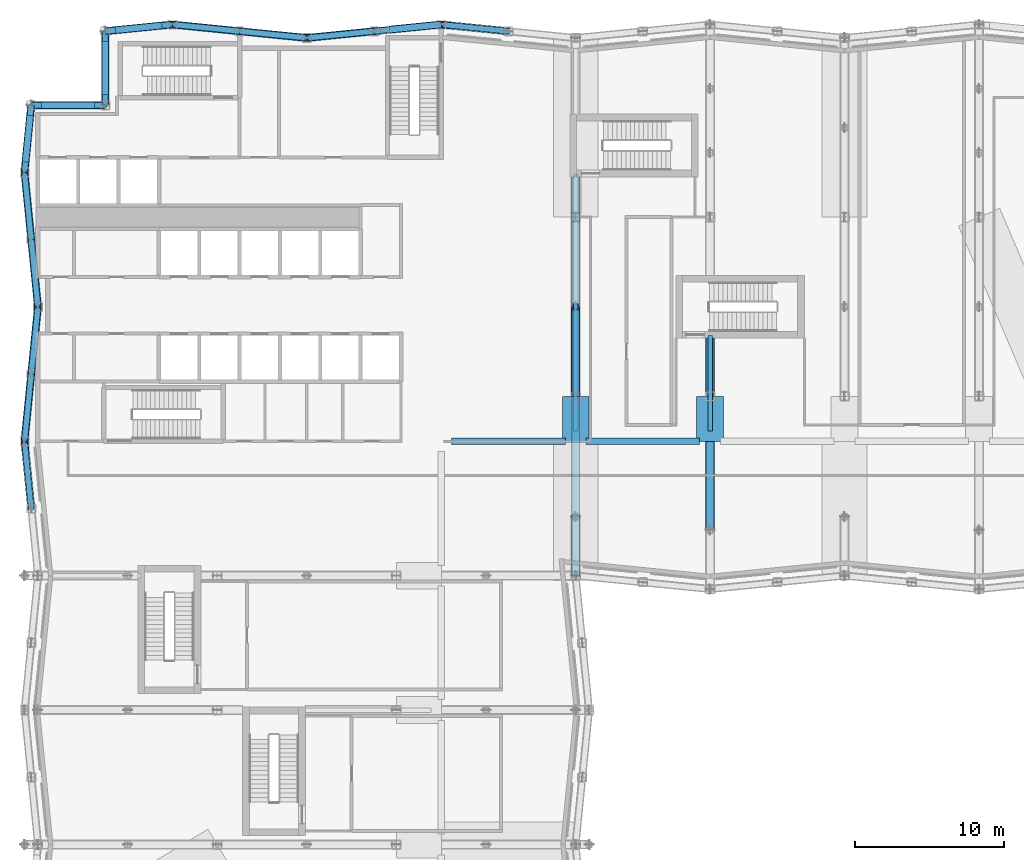
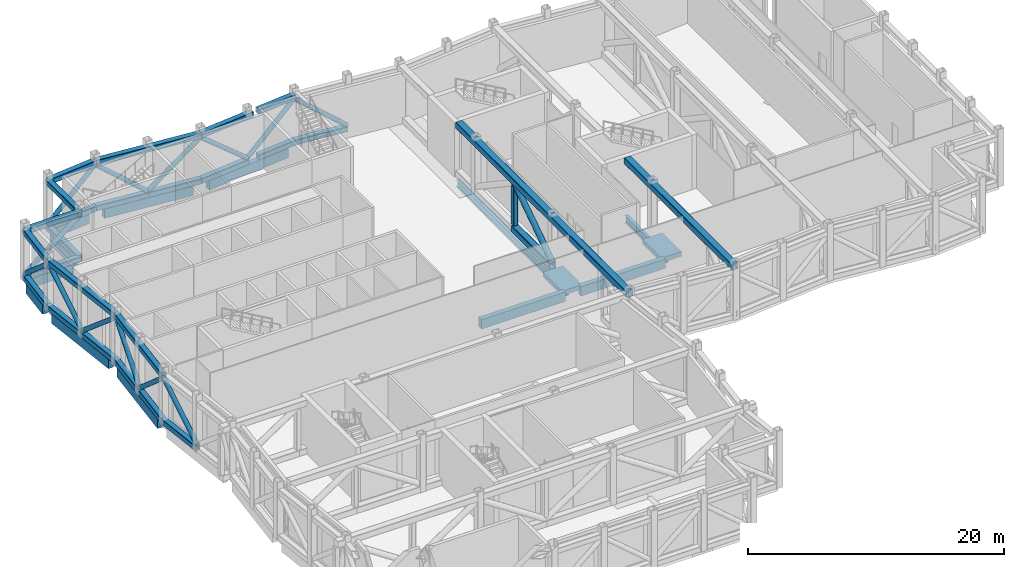
# One storey, part 6 of 22: 42 members, 14 beams.
"""IFC4 building model written with IfcOpenShell, lengths in metres."""

from ifc_helpers import new_model, si_unit, direction, frame, origin, origin_2d, place, context, subcontext, project, spatial, rectangle, hollow_rectangle, hollow_circle, i_section, extrude, material, material_profile, profile_set, type_object, element, save


model = new_model("IFC4")

# Units and contexts
model_context = context("Model", 3, precision=1e-05, world=origin(), true_north=direction((0.0, 1.0)))
body_context = subcontext(model_context, "Body", "Model", "MODEL_VIEW")
ifc_project = project(units=[si_unit("LENGTHUNIT", "METRE"), si_unit("AREAUNIT", "SQUARE_METRE"), si_unit("VOLUMEUNIT", "CUBIC_METRE"), si_unit("PLANEANGLEUNIT", "RADIAN"), si_unit("MASSUNIT", "GRAM", prefix="KILO")], contexts=[model_context])

# Site, building, storey
site_placement = place(None, origin())
site = spatial("IfcSite", under=ifc_project, at=site_placement, CompositionType="ELEMENT")
building_placement = place(site_placement, origin())
building = spatial("IfcBuilding", under=site, at=building_placement, Name="Brondeck Convention Tower", CompositionType="ELEMENT")
storey_placement = place(building_placement, frame((0.0, 0.0, 32.0)))
storey = spatial("IfcBuildingStorey", under=building, at=storey_placement, Name="L05", CompositionType="ELEMENT", Elevation=32.0)

# Beams
ifc_material_1 = material(Name="Concrete C80/95", Category="concrete")
ifc_material_profile_1 = material_profile(ifc_material_1, rectangle(XDim=1.800048828125, YDim=0.43994140625, at=origin_2d()), Name="Band beam 1800x440 Concrete C80/95")
ifc_profile_set_1 = profile_set([ifc_material_profile_1], Name="Concrete C80/95")
beam_type_1 = type_object("IfcBeamType", Name="Band beam 1800x440 Concrete C80/95", PredefinedType="BEAM", material=ifc_profile_set_1)
for number, where, z_axis, x_axis, name in (
    (1, (36.0, 39.0, -0.219970703125), (0.0, -1.0, 0.0), (1.0, 0.0, 0.0), "Band beam L05-9"),
    (2, (45.0, 39.0, -0.219970703125), (0.0, -1.0, 0.0), (1.0, 0.0, 0.0), "Band beam L05-11"),
):
    element("IfcBeam", number, at=place(storey_placement, frame(where, z_axis=z_axis, x_axis=x_axis)), inside=storey, type_object=beam_type_1, Name=name, PredefinedType="BEAM", context=body_context, shape_type="SweptSolid", body=[
        extrude(rectangle(XDim=1.800048828125, YDim=0.43994140625, at=origin_2d()), origin(), (0.0, 0.0, 1.0), 3.0),
    ])
ifc_material_profile_2 = material_profile(ifc_material_1, rectangle(XDim=0.449951171875, YDim=0.89990234375, at=origin_2d()), Name="Edge beam 450x900 Concrete C80/95")
ifc_profile_set_2 = profile_set([ifc_material_profile_2], Name="Concrete C80/95")
beam_type_2 = type_object("IfcBeamType", Name="Edge beam 450x900 Concrete C80/95", PredefinedType="BEAM", material=ifc_profile_set_2)
for number, where, z_axis, x_axis, name in (
    (3, (27.699951171875, 36.0, -0.449951171875), (1.0, 0.0, 0.0), (0.0, 1.0, 0.0), "STR-SP-L05-009"),
    (4, (36.699951171875, 36.0, -0.449951171875), (1.0, 0.0, 0.0), (0.0, 1.0, 0.0), "STR-SP-L05-010"),
):
    element("IfcBeam", number, at=place(storey_placement, frame(where, z_axis=z_axis, x_axis=x_axis)), inside=storey, type_object=beam_type_2, Name=name, PredefinedType="BEAM", context=body_context, shape_type="SweptSolid", body=[
        extrude(rectangle(XDim=0.449951171875, YDim=0.89990234375, at=origin_2d()), origin(), (0.0, 0.0, 1.0), 7.60009765625),
    ])
for number, where, z_axis, x_axis, name in (
    (5, (26.300048828125, 63.830078125, -0.449951171875), (-0.99503719021, -0.099503719021, 0.0), (0.099503719021, -0.99503719021, 0.0), "STR-SP-L05-025"),
    (6, (17.300048828125, 63.070068359375, -0.449951171875), (-0.99503719021, 0.099503719021, 0.0), (-0.099503719021, -0.99503719021, 0.0), "STR-SP-L05-026"),
):
    element("IfcBeam", number, at=place(storey_placement, frame(where, z_axis=z_axis, x_axis=x_axis)), inside=storey, type_object=beam_type_2, Name=name, PredefinedType="BEAM", context=body_context, shape_type="SweptSolid", body=[
        extrude(rectangle(XDim=0.449951171875, YDim=0.89990234375, at=origin_2d()), origin(), (0.0, 0.0, 1.0), 7.637939453125),
    ])
beam_1_placement = place(storey_placement, frame((8.300048828125, 63.830078125, -0.449951171875), z_axis=(-0.995035638374, -0.099519236158, 0.0), x_axis=(0.099519236158, -0.995035638374, 0.0)))
element("IfcBeam", 7, at=beam_1_placement, inside=storey, type_object=beam_type_2, Name="STR-SP-L05-027", PredefinedType="BEAM", context=body_context, shape_type="SweptSolid", body=[
    extrude(rectangle(XDim=0.449951171875, YDim=0.89990234375, at=origin_2d()), origin(), (0.0, 0.0, 1.0), 3.115478515625),
])
for number, where, z_axis, x_axis, name in (
    (8, (4.5, 62.75, -0.449951171875), (0.0, -1.0, 0.0), (1.0, 0.0, 0.0), "STR-SP-L05-028"),
    (9, (3.800048828125, 58.5, -0.449951171875), (-1.0, 0.0, 0.0), (0.0, -1.0, 0.0), "STR-SP-L05-029"),
):
    element("IfcBeam", number, at=place(storey_placement, frame(where, z_axis=z_axis, x_axis=x_axis)), inside=storey, type_object=beam_type_2, Name=name, PredefinedType="BEAM", context=body_context, shape_type="SweptSolid", body=[
        extrude(rectangle(XDim=0.449951171875, YDim=0.89990234375, at=origin_2d()), origin(), (0.0, 0.0, 1.0), 3.550048828125),
    ])
beam_2_placement = place(storey_placement, frame((-0.52001953125, 57.800048828125, -0.449951171875), z_axis=(-0.099519236158, -0.995035638374, 0.0), x_axis=(0.995035638374, -0.099519236158, 0.0)))
element("IfcBeam", 10, at=beam_2_placement, inside=storey, type_object=beam_type_2, Name="STR-SP-L05-030", PredefinedType="BEAM", context=body_context, shape_type="SweptSolid", body=[
    extrude(rectangle(XDim=0.449951171875, YDim=0.89990234375, at=origin_2d()), origin(), (0.0, 0.0, 1.0), 3.115478515625),
])
for number, where, z_axis, x_axis, name in (
    (11, (-0.830078125, 53.300048828125, -0.449951171875), (0.099503719021, -0.99503719021, 0.0), (0.99503719021, 0.099503719021, 0.0), "STR-SP-L05-031"),
    (12, (-0.070068359375, 44.300048828125, -0.449951171875), (-0.099503719021, -0.99503719021, 0.0), (0.99503719021, -0.099503719021, 0.0), "STR-SP-L05-032"),
):
    element("IfcBeam", number, at=place(storey_placement, frame(where, z_axis=z_axis, x_axis=x_axis)), inside=storey, type_object=beam_type_2, Name=name, PredefinedType="BEAM", context=body_context, shape_type="SweptSolid", body=[
        extrude(rectangle(XDim=0.449951171875, YDim=0.89990234375, at=origin_2d()), origin(), (0.0, 0.0, 1.0), 7.637939453125),
    ])
ifc_material_2 = material(Name="Steel S355", Category="steel")
ifc_material_profile_3 = material_profile(ifc_material_2, i_section(OverallWidth=0.300048828125, OverallDepth=0.699951171875, WebThickness=0.01708984375, FlangeThickness=0.031982421875, FilletRadius=0.027099609375, at=origin_2d()), Name="HEB 700")
ifc_profile_set_3 = profile_set([ifc_material_profile_3], Name="Steel S355")
beam_type_3 = type_object("IfcBeamType", Name="Girder HEB 700", PredefinedType="BEAM", material=ifc_profile_set_3)
beam_3_placement = place(storey_placement, frame((36.0, 36.699951171875, -0.800048828125), z_axis=(0.0, 1.0, 0.0), x_axis=(-1.0, 0.0, 0.0)))
element("IfcBeam", 13, at=beam_3_placement, inside=storey, type_object=beam_type_3, Name="STR-GR-L05-001", PredefinedType="BEAM", context=body_context, shape_type="SweptSolid", body=[
    extrude(i_section(OverallWidth=0.300048828125, OverallDepth=0.699951171875, WebThickness=0.01708984375, FlangeThickness=0.031982421875, FilletRadius=0.027099609375, at=origin_2d()), origin(), (0.0, 0.0, 1.0), 17.179931640625),
])
beam_4_placement = place(storey_placement, frame((45.0, 36.699951171875, -0.800048828125), z_axis=(0.0, 1.0, 0.0), x_axis=(-1.0, 0.0, 0.0)))
element("IfcBeam", 14, at=beam_4_placement, inside=storey, type_object=beam_type_3, Name="STR-GR-L05-003", PredefinedType="BEAM", context=body_context, shape_type="SweptSolid", body=[
    extrude(i_section(OverallWidth=0.300048828125, OverallDepth=0.699951171875, WebThickness=0.01708984375, FlangeThickness=0.031982421875, FilletRadius=0.027099609375, at=origin_2d()), origin(), (0.0, 0.0, 1.0), 6.380126953125),
])

# Members
ifc_material_3 = material(Name="Steel S460", Category="steel")
ifc_material_profile_4 = material_profile(ifc_material_3, hollow_rectangle(XDim=0.5, YDim=0.5, WallThickness=0.02490234375, InnerFilletRadius=0.02490234375, OuterFilletRadius=0.050048828125, at=origin_2d()), Name="RHS 500x500x25")
ifc_profile_set_4 = profile_set([ifc_material_profile_4], Name="Steel S460")
member_type_1 = type_object("IfcMemberType", Name="Truss chord RHS 500x500x25", PredefinedType="CHORD", material=ifc_profile_set_4)
member_1_placement = place(storey_placement, frame((27.0, 63.89990234375, 4.60009765625), z_axis=(-0.995041312637, -0.09946248612, 0.0), x_axis=(0.09946248612, -0.995041312637, 0.0)))
element("IfcMember", 15, at=member_1_placement, inside=storey, type_object=member_type_1, Name="Transfer truss T1-P1 chord", PredefinedType="CHORD", context=body_context, shape_type="SweptSolid", body=[
    extrude(hollow_rectangle(XDim=0.5, YDim=0.5, WallThickness=0.02490234375, InnerFilletRadius=0.02490234375, OuterFilletRadius=0.050048828125, at=origin_2d()), origin(), (0.0, 0.0, 1.0), 3.517333984375),
])
member_2_placement = place(storey_placement, frame((22.94287109375, 63.494384765625, 4.60009765625), z_axis=(-0.995035243594, -0.09952318326, 0.0), x_axis=(0.09952318326, -0.995035243594, 0.0)))
element("IfcMember", 16, at=member_2_placement, inside=storey, type_object=member_type_1, Name="Transfer truss T1-P1 chord", PredefinedType="CHORD", context=body_context, shape_type="SweptSolid", body=[
    extrude(hollow_rectangle(XDim=0.5, YDim=0.5, WallThickness=0.02490234375, InnerFilletRadius=0.02490234375, OuterFilletRadius=0.050048828125, at=origin_2d()), origin(), (0.0, 0.0, 1.0), 4.967529296875),
])
member_3_placement = place(storey_placement, frame((18.0, 63.0, 4.60009765625), z_axis=(-0.995038259148, 0.099493029059, 0.0), x_axis=(-0.099493029059, -0.995038259148, 0.0)))
element("IfcMember", 17, at=member_3_placement, inside=storey, type_object=member_type_1, Name="Transfer truss T1-P1 chord", PredefinedType="CHORD", context=body_context, shape_type="SweptSolid", body=[
    extrude(hollow_rectangle(XDim=0.5, YDim=0.5, WallThickness=0.02490234375, InnerFilletRadius=0.02490234375, OuterFilletRadius=0.050048828125, at=origin_2d()), origin(), (0.0, 0.0, 1.0), 9.044921875),
])
member_4_placement = place(storey_placement, frame((9.0, 63.89990234375, 4.60009765625), z_axis=(-0.995038259148, -0.099493029059, 0.0), x_axis=(0.099493029059, -0.995038259148, 0.0)))
element("IfcMember", 18, at=member_4_placement, inside=storey, type_object=member_type_1, Name="Transfer truss T1-P1 chord", PredefinedType="CHORD", context=body_context, shape_type="SweptSolid", body=[
    extrude(hollow_rectangle(XDim=0.5, YDim=0.5, WallThickness=0.02490234375, InnerFilletRadius=0.02490234375, OuterFilletRadius=0.050048828125, at=origin_2d()), origin(), (0.0, 0.0, 1.0), 4.5224609375),
])
for number, where, z_axis, x_axis, name in (
    (19, (4.5, 63.449951171875, 4.60009765625), (0.0, -1.0, 0.0), (1.0, 0.0, 0.0), "Transfer truss T1-P1 chord"),
    (20, (4.5, 58.5, 4.60009765625), (-1.0, 0.0, 0.0), (0.0, -1.0, 0.0), "Transfer truss T1-P1 chord"),
):
    element("IfcMember", number, at=place(storey_placement, frame(where, z_axis=z_axis, x_axis=x_axis)), inside=storey, type_object=member_type_1, Name=name, PredefinedType="CHORD", context=body_context, shape_type="SweptSolid", body=[
        extrude(hollow_rectangle(XDim=0.5, YDim=0.5, WallThickness=0.02490234375, InnerFilletRadius=0.02490234375, OuterFilletRadius=0.050048828125, at=origin_2d()), origin(), (0.0, 0.0, 1.0), 4.949951171875),
    ])
member_5_placement = place(storey_placement, frame((-0.449951171875, 58.5, 4.60009765625), z_axis=(-0.099493029059, -0.995038259148, 0.0), x_axis=(0.995038259148, -0.099493029059, 0.0)))
element("IfcMember", 21, at=member_5_placement, inside=storey, type_object=member_type_1, Name="Transfer truss T1-P1 chord", PredefinedType="CHORD", context=body_context, shape_type="SweptSolid", body=[
    extrude(hollow_rectangle(XDim=0.5, YDim=0.5, WallThickness=0.02490234375, InnerFilletRadius=0.02490234375, OuterFilletRadius=0.050048828125, at=origin_2d()), origin(), (0.0, 0.0, 1.0), 4.5224609375),
])
for number, where, z_axis, x_axis, name in (
    (22, (-0.89990234375, 54.0, 4.60009765625), (0.099493029059, -0.995038259148, 0.0), (0.995038259148, 0.099493029059, 0.0), "Transfer truss T1-P1 chord"),
    (23, (0.0, 45.0, 4.60009765625), (-0.099493029059, -0.995038259148, 0.0), (0.995038259148, -0.099493029059, 0.0), "Transfer truss T1-P1 chord"),
):
    element("IfcMember", number, at=place(storey_placement, frame(where, z_axis=z_axis, x_axis=x_axis)), inside=storey, type_object=member_type_1, Name=name, PredefinedType="CHORD", context=body_context, shape_type="SweptSolid", body=[
        extrude(hollow_rectangle(XDim=0.5, YDim=0.5, WallThickness=0.02490234375, InnerFilletRadius=0.02490234375, OuterFilletRadius=0.050048828125, at=origin_2d()), origin(), (0.0, 0.0, 1.0), 9.044921875),
    ])
member_6_placement = place(storey_placement, frame((31.5, 63.449951171875, 0.25), z_axis=(-0.995038259148, 0.099493029059, 0.0), x_axis=(-0.099493029059, -0.995038259148, 0.0)))
element("IfcMember", 24, at=member_6_placement, inside=storey, type_object=member_type_1, Name="Transfer truss T1-P1 chord", PredefinedType="CHORD", context=body_context, shape_type="SweptSolid", body=[
    extrude(hollow_rectangle(XDim=0.5, YDim=0.5, WallThickness=0.02490234375, InnerFilletRadius=0.02490234375, OuterFilletRadius=0.050048828125, at=origin_2d()), origin(), (0.0, 0.0, 1.0), 4.5224609375),
])
member_7_placement = place(storey_placement, frame((27.0, 63.89990234375, 0.25), z_axis=(-0.995041312637, -0.09946248612, 0.0), x_axis=(0.09946248612, -0.995041312637, 0.0)))
element("IfcMember", 25, at=member_7_placement, inside=storey, type_object=member_type_1, Name="Transfer truss T1-P1 chord", PredefinedType="CHORD", context=body_context, shape_type="SweptSolid", body=[
    extrude(hollow_rectangle(XDim=0.5, YDim=0.5, WallThickness=0.02490234375, InnerFilletRadius=0.02490234375, OuterFilletRadius=0.050048828125, at=origin_2d()), origin(), (0.0, 0.0, 1.0), 3.517333984375),
])
for number, where, z_axis, x_axis, name in (
    (26, (22.5, 63.449951171875, 0.25), (-0.995038259148, -0.099493029059, 0.0), (0.099493029059, -0.995038259148, 0.0), "Transfer truss T1-P1 chord"),
    (27, (18.0, 63.0, 0.25), (-0.995038259148, 0.099493029059, 0.0), (-0.099493029059, -0.995038259148, 0.0), "Transfer truss T1-P1 chord"),
    (28, (13.5, 63.449951171875, 0.25), (-0.995038259148, 0.099493029059, 0.0), (-0.099493029059, -0.995038259148, 0.0), "Transfer truss T1-P1 chord"),
    (29, (9.0, 63.89990234375, 0.25), (-0.995038259148, -0.099493029059, 0.0), (0.099493029059, -0.995038259148, 0.0), "Transfer truss T1-P1 chord"),
):
    element("IfcMember", number, at=place(storey_placement, frame(where, z_axis=z_axis, x_axis=x_axis)), inside=storey, type_object=member_type_1, Name=name, PredefinedType="CHORD", context=body_context, shape_type="SweptSolid", body=[
        extrude(hollow_rectangle(XDim=0.5, YDim=0.5, WallThickness=0.02490234375, InnerFilletRadius=0.02490234375, OuterFilletRadius=0.050048828125, at=origin_2d()), origin(), (0.0, 0.0, 1.0), 4.5224609375),
    ])
for number, where, z_axis, x_axis, name in (
    (30, (4.5, 63.449951171875, 0.25), (0.0, -1.0, 0.0), (1.0, 0.0, 0.0), "Transfer truss T1-P1 chord"),
    (31, (4.5, 58.5, 0.25), (-1.0, 0.0, 0.0), (0.0, -1.0, 0.0), "Transfer truss T1-P1 chord"),
):
    element("IfcMember", number, at=place(storey_placement, frame(where, z_axis=z_axis, x_axis=x_axis)), inside=storey, type_object=member_type_1, Name=name, PredefinedType="CHORD", context=body_context, shape_type="SweptSolid", body=[
        extrude(hollow_rectangle(XDim=0.5, YDim=0.5, WallThickness=0.02490234375, InnerFilletRadius=0.02490234375, OuterFilletRadius=0.050048828125, at=origin_2d()), origin(), (0.0, 0.0, 1.0), 4.949951171875),
    ])
for number, where, z_axis, x_axis, name in (
    (32, (-0.449951171875, 58.5, 0.25), (-0.099493029059, -0.995038259148, 0.0), (0.995038259148, -0.099493029059, 0.0), "Transfer truss T1-P1 chord"),
    (33, (-0.89990234375, 54.0, 0.25), (0.099493029059, -0.995038259148, 0.0), (0.995038259148, 0.099493029059, 0.0), "Transfer truss T1-P1 chord"),
    (34, (-0.449951171875, 49.5, 0.25), (0.099493029059, -0.995038259148, 0.0), (0.995038259148, 0.099493029059, 0.0), "Transfer truss T1-P1 chord"),
    (35, (0.0, 45.0, 0.25), (-0.099493029059, -0.995038259148, 0.0), (0.995038259148, -0.099493029059, 0.0), "Transfer truss T1-P1 chord"),
    (36, (-0.449951171875, 40.5, 0.25), (-0.099493029059, -0.995038259148, 0.0), (0.995038259148, -0.099493029059, 0.0), "Transfer truss T1-P1 chord"),
    (37, (-0.89990234375, 36.0, 0.25), (0.099493029059, -0.995038259148, 0.0), (0.995038259148, 0.099493029059, 0.0), "Transfer truss T1-P1 chord"),
):
    element("IfcMember", number, at=place(storey_placement, frame(where, z_axis=z_axis, x_axis=x_axis)), inside=storey, type_object=member_type_1, Name=name, PredefinedType="CHORD", context=body_context, shape_type="SweptSolid", body=[
        extrude(hollow_rectangle(XDim=0.5, YDim=0.5, WallThickness=0.02490234375, InnerFilletRadius=0.02490234375, OuterFilletRadius=0.050048828125, at=origin_2d()), origin(), (0.0, 0.0, 1.0), 4.5224609375),
    ])
ifc_material_profile_5 = material_profile(ifc_material_3, hollow_rectangle(XDim=0.60009765625, YDim=0.60009765625, WallThickness=0.030029296875, InnerFilletRadius=0.030029296875, OuterFilletRadius=0.06005859375, at=origin_2d()), Name="RHS 600x600x30")
ifc_profile_set_5 = profile_set([ifc_material_profile_5], Name="Steel S460")
member_type_2 = type_object("IfcMemberType", Name="Truss chord RHS 600x600x30", PredefinedType="CHORD", material=ifc_profile_set_5)
member_8_placement = place(storey_placement, frame((36.0, 27.0, 4.89990234375), z_axis=(0.0, 1.0, 0.0), x_axis=(-1.0, 0.0, 0.0)))
element("IfcMember", 38, at=member_8_placement, inside=storey, type_object=member_type_2, Name="Transfer truss T1-A1 chord", PredefinedType="CHORD", context=body_context, shape_type="SweptSolid", body=[
    extrude(hollow_rectangle(XDim=0.60009765625, YDim=0.60009765625, WallThickness=0.030029296875, InnerFilletRadius=0.030029296875, OuterFilletRadius=0.06005859375, at=origin_2d()), origin(), (0.0, 0.0, 1.0), 26.699951171875),
])
member_9_placement = place(storey_placement, frame((36.0, 39.0, 0.300048828125), z_axis=(0.0, 1.0, 0.0), x_axis=(-1.0, 0.0, 0.0)))
element("IfcMember", 39, at=member_9_placement, inside=storey, type_object=member_type_2, Name="Transfer truss T1-A1 chord", PredefinedType="CHORD", context=body_context, shape_type="SweptSolid", body=[
    extrude(hollow_rectangle(XDim=0.60009765625, YDim=0.60009765625, WallThickness=0.030029296875, InnerFilletRadius=0.030029296875, OuterFilletRadius=0.06005859375, at=origin_2d()), origin(), (0.0, 0.0, 1.0), 6.0),
])
member_10_placement = place(storey_placement, frame((45.0, 26.10009765625, 4.89990234375), z_axis=(0.0, 1.0, 0.0), x_axis=(-1.0, 0.0, 0.0)))
element("IfcMember", 40, at=member_10_placement, inside=storey, type_object=member_type_2, Name="Transfer truss T1-A2 chord", PredefinedType="CHORD", context=body_context, shape_type="SweptSolid", body=[
    extrude(hollow_rectangle(XDim=0.60009765625, YDim=0.60009765625, WallThickness=0.030029296875, InnerFilletRadius=0.030029296875, OuterFilletRadius=0.06005859375, at=origin_2d()), origin(), (0.0, 0.0, 1.0), 16.7998046875),
])
ifc_material_profile_6 = material_profile(ifc_material_3, hollow_circle(Radius=0.203125, WallThickness=0.02490234375, at=origin_2d()), Name="CHS 406.4x25")
ifc_profile_set_6 = profile_set([ifc_material_profile_6], Name="Steel S460")
member_type_3 = type_object("IfcMemberType", Name="Truss diagonal CHS 406.4x25", PredefinedType="BRACE", material=ifc_profile_set_6)
for number, where, z_axis, x_axis, name in (
    (41, (31.5, 63.449951171875, 0.5), (-0.757660496322, 0.07575782849, 0.648237089139), (-0.099493029059, -0.995038259148, 0.0), "Transfer truss T1-P1 diagonal"),
    (42, (27.0, 63.89990234375, 4.35009765625), (-0.757660496322, -0.07575782849, -0.648237089139), (0.099493029059, -0.995038259148, 0.0), "Transfer truss T1-P1 diagonal"),
    (43, (22.5, 63.449951171875, 0.5), (-0.757660496322, -0.07575782849, 0.648237089139), (0.099493029059, -0.995038259148, 0.0), "Transfer truss T1-P1 diagonal"),
    (44, (18.0, 63.0, 4.35009765625), (-0.757660496322, 0.07575782849, -0.648237089139), (-0.099493029059, -0.995038259148, 0.0), "Transfer truss T1-P1 diagonal"),
    (45, (13.5, 63.449951171875, 0.5), (-0.757660496322, 0.07575782849, 0.648237089139), (-0.099493029059, -0.995038259148, 0.0), "Transfer truss T1-P1 diagonal"),
    (46, (9.0, 63.89990234375, 4.35009765625), (-0.757660496322, -0.07575782849, -0.648237089139), (0.099493029059, -0.995038259148, 0.0), "Transfer truss T1-P1 diagonal"),
):
    element("IfcMember", number, at=place(storey_placement, frame(where, z_axis=z_axis, x_axis=x_axis)), inside=storey, type_object=member_type_3, Name=name, PredefinedType="BRACE", context=body_context, shape_type="SweptSolid", body=[
        extrude(hollow_circle(Radius=0.203125, WallThickness=0.02490234375, at=origin_2d()), origin(), (0.0, 0.0, 1.0), 5.939453125),
    ])
for number, where, z_axis, x_axis, name in (
    (47, (4.5, 63.449951171875, 0.5), (0.0, -0.78934173563, 0.613954089809), (1.0, 0.0, 0.0), "Transfer truss T1-P1 diagonal"),
    (48, (4.5, 58.5, 4.35009765625), (-0.78934173563, 0.0, -0.613954089809), (0.0, -1.0, 0.0), "Transfer truss T1-P1 diagonal"),
):
    element("IfcMember", number, at=place(storey_placement, frame(where, z_axis=z_axis, x_axis=x_axis)), inside=storey, type_object=member_type_3, Name=name, PredefinedType="BRACE", context=body_context, shape_type="SweptSolid", body=[
        extrude(hollow_circle(Radius=0.203125, WallThickness=0.02490234375, at=origin_2d()), origin(), (0.0, 0.0, 1.0), 6.27099609375),
    ])
for number, where, z_axis, x_axis, name in (
    (49, (-0.449951171875, 58.5, 0.5), (-0.07575782849, -0.757660496322, 0.648237089139), (0.995038259148, -0.099493029059, 0.0), "Transfer truss T1-P1 diagonal"),
    (50, (-0.89990234375, 54.0, 4.35009765625), (0.07575782849, -0.757660496322, -0.648237089139), (0.995038259148, 0.099493029059, 0.0), "Transfer truss T1-P1 diagonal"),
    (51, (-0.449951171875, 49.5, 0.5), (0.07575782849, -0.757660496322, 0.648237089139), (0.995038259148, 0.099493029059, 0.0), "Transfer truss T1-P1 diagonal"),
    (52, (0.0, 45.0, 4.35009765625), (-0.07575782849, -0.757660496322, -0.648237089139), (0.995038259148, -0.099493029059, 0.0), "Transfer truss T1-P1 diagonal"),
    (53, (-0.449951171875, 40.5, 0.5), (-0.07575782849, -0.757660496322, 0.648237089139), (0.995038259148, -0.099493029059, 0.0), "Transfer truss T1-P1 diagonal"),
    (54, (-0.89990234375, 36.0, 4.35009765625), (0.07575782849, -0.757660496322, -0.648237089139), (0.995038259148, 0.099493029059, 0.0), "Transfer truss T1-P1 diagonal"),
):
    element("IfcMember", number, at=place(storey_placement, frame(where, z_axis=z_axis, x_axis=x_axis)), inside=storey, type_object=member_type_3, Name=name, PredefinedType="BRACE", context=body_context, shape_type="SweptSolid", body=[
        extrude(hollow_circle(Radius=0.203125, WallThickness=0.02490234375, at=origin_2d()), origin(), (0.0, 0.0, 1.0), 5.939453125),
    ])
ifc_material_profile_7 = material_profile(ifc_material_3, hollow_circle(Radius=0.25390625, WallThickness=0.030029296875, at=origin_2d()), Name="CHS 508x30")
ifc_profile_set_7 = profile_set([ifc_material_profile_7], Name="Steel S460")
member_type_4 = type_object("IfcMemberType", Name="Truss diagonal CHS 508x30", PredefinedType="BRACE", material=ifc_profile_set_7)
member_11_placement = place(storey_placement, frame((36.0, 39.0, 0.60009765625), z_axis=(0.0, 0.832050294338, 0.554700196225), x_axis=(-1.0, 0.0, 0.0)))
element("IfcMember", 55, at=member_11_placement, inside=storey, type_object=member_type_4, Name="Transfer truss T1-A1 diagonal", PredefinedType="BRACE", context=body_context, shape_type="SweptSolid", body=[
    extrude(hollow_circle(Radius=0.25390625, WallThickness=0.030029296875, at=origin_2d()), origin(), (0.0, 0.0, 1.0), 7.211181640625),
])
ifc_material_profile_8 = material_profile(ifc_material_3, hollow_rectangle(XDim=0.39990234375, YDim=0.39990234375, WallThickness=0.02001953125, InnerFilletRadius=0.02001953125, OuterFilletRadius=0.0400390625, at=origin_2d()), Name="RHS 400x400x20")
ifc_profile_set_8 = profile_set([ifc_material_profile_8], Name="Steel S460")
member_type_5 = type_object("IfcMemberType", Name="Truss vertical RHS 400x400x20", PredefinedType="STRUT", material=ifc_profile_set_8)
member_12_placement = place(storey_placement, frame((36.0, 45.0, 0.60009765625), z_axis=(0.0, 0.0, 1.0), x_axis=(1.0, 0.0, 0.0)))
element("IfcMember", 56, at=member_12_placement, inside=storey, type_object=member_type_5, Name="Transfer truss T1-A1 vertical", PredefinedType="STRUT", context=body_context, shape_type="SweptSolid", body=[
    extrude(hollow_rectangle(XDim=0.39990234375, YDim=0.39990234375, WallThickness=0.02001953125, InnerFilletRadius=0.02001953125, OuterFilletRadius=0.0400390625, at=origin_2d()), origin(), (0.0, 0.0, 1.0), 4.0),
])

save(model, "model.ifc")
